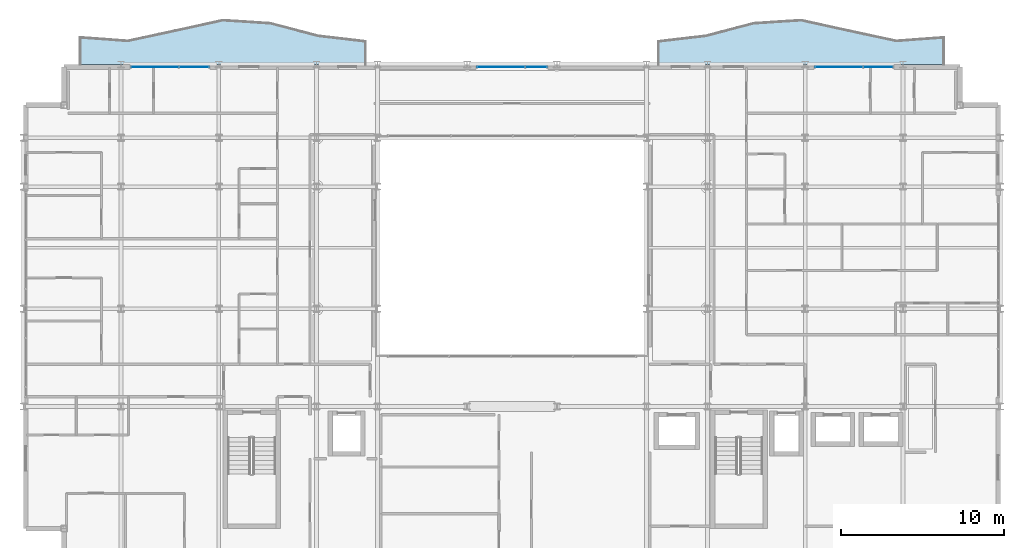
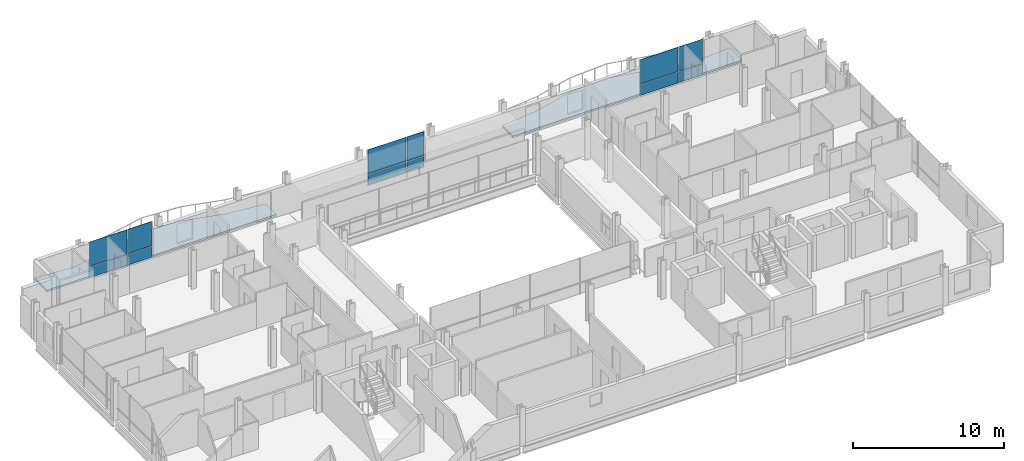
# One storey, part 31 of 41: 12 plates, 2 slabs, 3 elements without a shape of their own.
"""IFC4 building model written with IfcOpenShell, lengths in metres."""

from ifc_helpers import new_model, si_unit, direction, frame, origin, origin_2d, place, context, subcontext, project, spatial, polyline, rectangle, outline, extrude, material, layer, layer_set, type_object, element, aggregate, save


model = new_model("IFC4")

# Units and contexts
model_context = context("Model", 3, precision=1e-05, world=origin(), true_north=direction((0.0, 1.0)))
body_context = subcontext(model_context, "Body", "Model", "MODEL_VIEW")
ifc_project = project(units=[si_unit("LENGTHUNIT", "METRE"), si_unit("AREAUNIT", "SQUARE_METRE"), si_unit("VOLUMEUNIT", "CUBIC_METRE"), si_unit("PLANEANGLEUNIT", "RADIAN"), si_unit("MASSUNIT", "GRAM", prefix="KILO")], contexts=[model_context])

# Site, building, storey
site_placement = place(None, origin())
site = spatial("IfcSite", under=ifc_project, at=site_placement, CompositionType="ELEMENT")
building_placement = place(site_placement, origin())
building = spatial("IfcBuilding", under=site, at=building_placement, Name="Brevholm Reach", CompositionType="ELEMENT")
storey_placement = place(building_placement, frame((0.0, 0.0, 138.699951171875)))
storey = spatial("IfcBuildingStorey", under=building, at=storey_placement, Name="L41", CompositionType="ELEMENT", Elevation=138.699951171875)

# Curtain wall, plates
ifc_material_1 = material(Name="Dark Anodised Aluminium 6063-T6 and Solar-Control Glass", Category="aluminium")
ifc_layer_1 = layer(ifc_material_1, 0.14990234375)
ifc_layer_set_1 = layer_set([ifc_layer_1], Name="Dark Anodised Aluminium 6063-T6 and Solar-Control Glass")
curtain_wall_type = type_object("IfcCurtainWallType", Name="CW-01", PredefinedType="NOTDEFINED", material=ifc_layer_set_1)
curtain_wall_1_placement = place(storey_placement, origin())
curtain_wall_1 = element("IfcCurtainWall", 1, at=curtain_wall_1_placement, inside=storey, type_object=curtain_wall_type, Name="L41 Curtain Wall CW-01", PredefinedType="NOTDEFINED")
ifc_material_2 = material(Name="Dark Solar-Control Double-Glazed IGU Glass", Category="glass")
ifc_layer_2 = layer(ifc_material_2, 0.028076171875)
ifc_layer_set_2 = layer_set([ifc_layer_2], Name="Dark Solar-Control Double-Glazed IGU Glass")
plate_type = type_object("IfcPlateType", Name="CWP-GLZ-28", PredefinedType="CURTAIN_PANEL", material=ifc_layer_set_2)
plate_1_placement = place(storey_placement, frame((8.066162109375, 30.85009765625, 0.0), z_axis=(0.0, 0.0, 1.0), x_axis=(1.0, 0.0, 0.0)))
plate_1 = element("IfcPlate", 2, at=plate_1_placement, type_object=plate_type, Name="CP-01 Glazing Panel 1.1", PredefinedType="CURTAIN_PANEL", context=body_context, shape_type="SweptSolid", body=[
    extrude(rectangle(XDim=2.902587890625, YDim=0.028076171875, at=origin_2d()), origin(), (0.0, 0.0, 1.0), 0.867431640625),
])
plate_2_placement = place(storey_placement, frame((8.066162109375, 30.85009765625, 0.9326171875), z_axis=(0.0, 0.0, 1.0), x_axis=(1.0, 0.0, 0.0)))
plate_2 = element("IfcPlate", 3, at=plate_2_placement, type_object=plate_type, Name="CP-01 Glazing Panel 1.2", PredefinedType="CURTAIN_PANEL", context=body_context, shape_type="SweptSolid", body=[
    extrude(rectangle(XDim=2.902587890625, YDim=0.028076171875, at=origin_2d()), origin(), (0.0, 0.0, 1.0), 1.947509765625),
])
plate_3_placement = place(storey_placement, frame((10.483642578125, 30.85009765625, 0.0), z_axis=(0.0, 0.0, 1.0), x_axis=(1.0, 0.0, 0.0)))
plate_3 = element("IfcPlate", 4, at=plate_3_placement, type_object=plate_type, Name="CP-01 Glazing Panel 2.1", PredefinedType="CURTAIN_PANEL", context=body_context, shape_type="SweptSolid", body=[
    extrude(rectangle(XDim=1.802490234375, YDim=0.028076171875, at=origin_2d()), origin(), (0.0, 0.0, 1.0), 0.867431640625),
])
plate_4_placement = place(storey_placement, frame((10.483642578125, 30.85009765625, 0.9326171875), z_axis=(0.0, 0.0, 1.0), x_axis=(1.0, 0.0, 0.0)))
plate_4 = element("IfcPlate", 5, at=plate_4_placement, type_object=plate_type, Name="CP-01 Glazing Panel 2.2", PredefinedType="CURTAIN_PANEL", context=body_context, shape_type="SweptSolid", body=[
    extrude(rectangle(XDim=1.802490234375, YDim=0.028076171875, at=origin_2d()), origin(), (0.0, 0.0, 1.0), 1.947509765625),
])
aggregate(curtain_wall_1, [plate_1, plate_2, plate_3, plate_4])

curtain_wall_2_placement = place(storey_placement, origin())
curtain_wall_2 = element("IfcCurtainWall", 6, at=curtain_wall_2_placement, inside=storey, type_object=curtain_wall_type, Name="L41 Curtain Wall CW-01", PredefinedType="NOTDEFINED")
plate_5_placement = place(storey_placement, frame((29.316162109375, 30.85009765625, 0.0), z_axis=(0.0, 0.0, 1.0), x_axis=(1.0, 0.0, 0.0)))
plate_5 = element("IfcPlate", 7, at=plate_5_placement, type_object=plate_type, Name="CP-01 Glazing Panel 1.1", PredefinedType="CURTAIN_PANEL", context=body_context, shape_type="SweptSolid", body=[
    extrude(rectangle(XDim=2.902587890625, YDim=0.028076171875, at=origin_2d()), origin(), (0.0, 0.0, 1.0), 0.867431640625),
])
plate_6_placement = place(storey_placement, frame((29.316162109375, 30.85009765625, 0.9326171875), z_axis=(0.0, 0.0, 1.0), x_axis=(1.0, 0.0, 0.0)))
plate_6 = element("IfcPlate", 8, at=plate_6_placement, type_object=plate_type, Name="CP-01 Glazing Panel 1.2", PredefinedType="CURTAIN_PANEL", context=body_context, shape_type="SweptSolid", body=[
    extrude(rectangle(XDim=2.902587890625, YDim=0.028076171875, at=origin_2d()), origin(), (0.0, 0.0, 1.0), 1.947509765625),
])
plate_7_placement = place(storey_placement, frame((31.483642578125, 30.85009765625, 0.0), z_axis=(0.0, 0.0, 1.0), x_axis=(1.0, 0.0, 0.0)))
plate_7 = element("IfcPlate", 9, at=plate_7_placement, type_object=plate_type, Name="CP-01 Glazing Panel 2.1", PredefinedType="CURTAIN_PANEL", context=body_context, shape_type="SweptSolid", body=[
    extrude(rectangle(XDim=1.302490234375, YDim=0.028076171875, at=origin_2d()), origin(), (0.0, 0.0, 1.0), 0.867431640625),
])
plate_8_placement = place(storey_placement, frame((31.483642578125, 30.85009765625, 0.9326171875), z_axis=(0.0, 0.0, 1.0), x_axis=(1.0, 0.0, 0.0)))
plate_8 = element("IfcPlate", 10, at=plate_8_placement, type_object=plate_type, Name="CP-01 Glazing Panel 2.2", PredefinedType="CURTAIN_PANEL", context=body_context, shape_type="SweptSolid", body=[
    extrude(rectangle(XDim=1.302490234375, YDim=0.028076171875, at=origin_2d()), origin(), (0.0, 0.0, 1.0), 1.947509765625),
])
aggregate(curtain_wall_2, [plate_5, plate_6, plate_7, plate_8])

curtain_wall_3_placement = place(storey_placement, origin())
curtain_wall_3 = element("IfcCurtainWall", 11, at=curtain_wall_3_placement, inside=storey, type_object=curtain_wall_type, Name="L41 Curtain Wall CW-01", PredefinedType="NOTDEFINED")
plate_9_placement = place(storey_placement, frame((50.066162109375, 30.85009765625, 0.0), z_axis=(0.0, 0.0, 1.0), x_axis=(1.0, 0.0, 0.0)))
plate_9 = element("IfcPlate", 12, at=plate_9_placement, type_object=plate_type, Name="CP-01 Glazing Panel 1.1", PredefinedType="CURTAIN_PANEL", context=body_context, shape_type="SweptSolid", body=[
    extrude(rectangle(XDim=2.902587890625, YDim=0.028076171875, at=origin_2d()), origin(), (0.0, 0.0, 1.0), 0.867431640625),
])
plate_10_placement = place(storey_placement, frame((50.066162109375, 30.85009765625, 0.9326171875), z_axis=(0.0, 0.0, 1.0), x_axis=(1.0, 0.0, 0.0)))
plate_10 = element("IfcPlate", 13, at=plate_10_placement, type_object=plate_type, Name="CP-01 Glazing Panel 1.2", PredefinedType="CURTAIN_PANEL", context=body_context, shape_type="SweptSolid", body=[
    extrude(rectangle(XDim=2.902587890625, YDim=0.028076171875, at=origin_2d()), origin(), (0.0, 0.0, 1.0), 1.947509765625),
])
plate_11_placement = place(storey_placement, frame((52.483642578125, 30.85009765625, 0.0), z_axis=(0.0, 0.0, 1.0), x_axis=(1.0, 0.0, 0.0)))
plate_11 = element("IfcPlate", 14, at=plate_11_placement, type_object=plate_type, Name="CP-01 Glazing Panel 2.1", PredefinedType="CURTAIN_PANEL", context=body_context, shape_type="SweptSolid", body=[
    extrude(rectangle(XDim=1.802490234375, YDim=0.028076171875, at=origin_2d()), origin(), (0.0, 0.0, 1.0), 0.867431640625),
])
plate_12_placement = place(storey_placement, frame((52.483642578125, 30.85009765625, 0.9326171875), z_axis=(0.0, 0.0, 1.0), x_axis=(1.0, 0.0, 0.0)))
plate_12 = element("IfcPlate", 15, at=plate_12_placement, type_object=plate_type, Name="CP-01 Glazing Panel 2.2", PredefinedType="CURTAIN_PANEL", context=body_context, shape_type="SweptSolid", body=[
    extrude(rectangle(XDim=1.802490234375, YDim=0.028076171875, at=origin_2d()), origin(), (0.0, 0.0, 1.0), 1.947509765625),
])
aggregate(curtain_wall_3, [plate_9, plate_10, plate_11, plate_12])

# Slabs
ifc_material_3 = material(Name="Precast Concrete C45/55", Category="concrete")
ifc_layer_3 = layer(ifc_material_3, 0.14990234375)
ifc_layer_set_3 = layer_set([ifc_layer_3], Name="Precast Concrete C45/55")
slab_type = type_object("IfcSlabType", Name="SLB-BAL-150", PredefinedType="FLOOR", material=ifc_layer_set_3)
slab_1_placement = place(storey_placement, frame((0.0, 0.0, -0.14990234375)))
element("IfcSlab", 16, at=slab_1_placement, inside=storey, type_object=slab_type, Name="L41 Rippling External Balcony NE", PredefinedType="FLOOR", context=body_context, shape_type="SweptSolid", body=[
    extrude(outline(polyline([(39.0, 31.0), (56.5, 31.0), (56.5, 32.650146484375), (53.583251953125, 32.436767578125), (50.666748046875, 33.063232421875), (47.75, 33.705078125), (44.833251953125, 33.517822265625), (41.916748046875, 32.747802734375), (39.0, 32.408203125), (39.0, 31.0)])), origin(), (0.0, 0.0, 1.0), 0.14990234375),
])
slab_2_placement = place(storey_placement, frame((0.0, 0.0, -0.14990234375)))
element("IfcSlab", 17, at=slab_2_placement, inside=storey, type_object=slab_type, Name="L41 Rippling External Balcony NW", PredefinedType="FLOOR", context=body_context, shape_type="SweptSolid", body=[
    extrude(outline(polyline([(3.5, 31.0), (21.0, 31.0), (21.0, 32.408203125), (18.083251953125, 32.747802734375), (15.166748046875, 33.517822265625), (12.25, 33.705078125), (9.333251953125, 33.063232421875), (6.416748046875, 32.436767578125), (3.5, 32.650146484375), (3.5, 31.0)])), origin(), (0.0, 0.0, 1.0), 0.14990234375),
])

save(model, "model.ifc")
